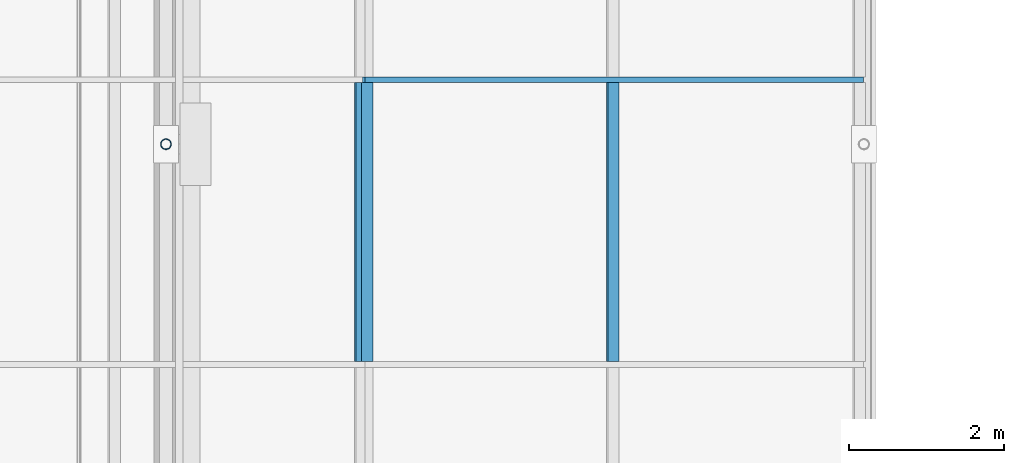
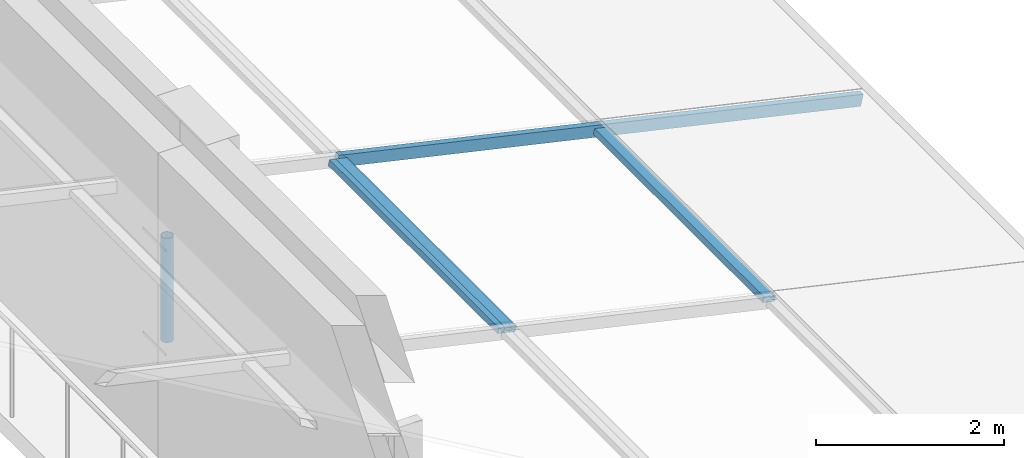
# One storey, part 83 of 130: 5 members, 2 elements without a shape of their own.
"""IFC4 building model written with IfcOpenShell, lengths in metres."""

from ifc_helpers import new_model, si_unit, direction, frame, origin, origin_2d, place, context, subcontext, project, spatial, hollow_rectangle, hollow_circle, extrude, material, material_profile, profile_set, type_object, element, aggregate, save


model = new_model("IFC4")

# Units and contexts
model_context = context("Model", 3, precision=1e-05, world=origin(), true_north=direction((0.0, 1.0)))
body_context = subcontext(model_context, "Body", "Model", "MODEL_VIEW")
ifc_project = project(units=[si_unit("LENGTHUNIT", "METRE"), si_unit("AREAUNIT", "SQUARE_METRE"), si_unit("VOLUMEUNIT", "CUBIC_METRE"), si_unit("PLANEANGLEUNIT", "RADIAN"), si_unit("MASSUNIT", "GRAM", prefix="KILO")], contexts=[model_context])

# Site, building, storey
site_placement = place(None, origin())
site = spatial("IfcSite", under=ifc_project, at=site_placement, CompositionType="ELEMENT")
building_placement = place(site_placement, origin())
building = spatial("IfcBuilding", under=site, at=building_placement, Name="Lykobir Media Centre", CompositionType="ELEMENT")
storey_placement = place(building_placement, frame((0.0, 0.0, 19.199951171875)))
storey = spatial("IfcBuildingStorey", under=building, at=storey_placement, Name="L04", CompositionType="ELEMENT", Elevation=19.199951171875)

# Member
ifc_material_1 = material(Name="Steel S355", Category="steel")
ifc_material_profile_1 = material_profile(ifc_material_1, hollow_circle(Radius=0.06982421875, WallThickness=0.008056640625, at=origin_2d()), Name="CHS 139.7x8.0")
ifc_profile_set_1 = profile_set([ifc_material_profile_1], Name="Steel S355")
member_type_1 = type_object("IfcMemberType", Name="BR-CHS140", PredefinedType="BRACE", material=ifc_profile_set_1)
member_1_placement = place(storey_placement, frame((72.0, 81.0, 2.780029296875), z_axis=(0.0, 0.0, -1.0), x_axis=(1.0, 0.0, 0.0)))
element("IfcMember", 1, at=member_1_placement, inside=storey, type_object=member_type_1, Name="Diagonal brace MEM2-L04-0720-0810-0220-0720-0810-0489", PredefinedType="BRACE", context=body_context, shape_type="SweptSolid", body=[
    extrude(hollow_circle(Radius=0.06982421875, WallThickness=0.008056640625, at=origin_2d()), origin(), (0.0, 0.0, 1.0), 1.35009765625),
])

# Curtain wall, members
ifc_material_2 = material(Name="Anodized Aluminium AW-6060", Category="aluminium")
curtain_wall_type = type_object("IfcCurtainWallType", Name="CW-V6-SKY", PredefinedType="NOTDEFINED", material=ifc_material_2)
curtain_wall_1_placement = place(storey_placement, origin())
curtain_wall_1 = element("IfcCurtainWall", 2, at=curtain_wall_1_placement, inside=storey, type_object=curtain_wall_type, Name="Curtain wall CW-V6-SKY01", PredefinedType="NOTDEFINED")
ifc_material_profile_2 = material_profile(ifc_material_2, hollow_rectangle(XDim=0.074951171875, YDim=0.14990234375, WallThickness=0.00341796875, at=origin_2d()), Name="ALU TRANSOM 75x150")
ifc_profile_set_2 = profile_set([ifc_material_profile_2], Name="Anodized Aluminium AW-6060")
member_type_2 = type_object("IfcMemberType", Name="CWT-150", PredefinedType="USERDEFINED", material=ifc_profile_set_2)
member_2_placement = place(storey_placement, frame((80.977783203125, 81.830078125, 0.901611328125), z_axis=(-0.97526330388, 0.0, 0.221046348318), x_axis=(0.0, -1.0, 0.0)))
member_2 = element("IfcMember", 3, at=member_2_placement, type_object=member_type_2, Name="CW-V6-SKY01 rafter transom 8", ObjectType="TRANSOM", PredefinedType="USERDEFINED", context=body_context, shape_type="SweptSolid", body=[
    extrude(hollow_rectangle(XDim=0.074951171875, YDim=0.14990234375, WallThickness=0.00341796875, at=origin_2d()), origin(), (0.0, 0.0, 1.0), 6.591552734375),
])
member_3_placement = place(storey_placement, frame((77.763427734375, 81.79248046875, 1.630126953125), z_axis=(0.0, -1.0, 0.0), x_axis=(0.221054901821, 0.0, 0.975261365164)))
member_3 = element("IfcMember", 4, at=member_3_placement, type_object=member_type_2, Name="CW-V6-SKY01 transom 8.2", ObjectType="TRANSOM", PredefinedType="USERDEFINED", context=body_context, shape_type="SweptSolid", body=[
    extrude(hollow_rectangle(XDim=0.074951171875, YDim=0.14990234375, WallThickness=0.00341796875, at=origin_2d()), origin(), (0.0, 0.0, 1.0), 3.594970703125),
])
member_4_placement = place(storey_placement, frame((74.585693359375, 81.79248046875, 2.350341796875), z_axis=(0.0, -1.0, 0.0), x_axis=(0.221054901821, 0.0, 0.975261365164)))
member_4 = element("IfcMember", 5, at=member_4_placement, type_object=member_type_2, Name="CW-V6-SKY01 transom 8.3", ObjectType="TRANSOM", PredefinedType="USERDEFINED", context=body_context, shape_type="SweptSolid", body=[
    extrude(hollow_rectangle(XDim=0.074951171875, YDim=0.14990234375, WallThickness=0.00341796875, at=origin_2d()), origin(), (0.0, 0.0, 1.0), 3.594970703125),
])
aggregate(curtain_wall_1, [member_2, member_3, member_4])

# Curtain wall, member
curtain_wall_2_placement = place(storey_placement, origin())
curtain_wall_2 = element("IfcCurtainWall", 6, at=curtain_wall_2_placement, inside=storey, type_object=curtain_wall_type, Name="Curtain wall CW-V6-SKY02", PredefinedType="NOTDEFINED")
member_5_placement = place(storey_placement, frame((74.512451171875, 81.79248046875, 2.366943359375), z_axis=(0.0, -1.0, 0.0), x_axis=(0.221071923309, 0.0, 0.975257506879)))
member_5 = element("IfcMember", 7, at=member_5_placement, type_object=member_type_2, Name="CW-V6-SKY02 transom 8.1", ObjectType="TRANSOM", PredefinedType="USERDEFINED", context=body_context, shape_type="SweptSolid", body=[
    extrude(hollow_rectangle(XDim=0.074951171875, YDim=0.14990234375, WallThickness=0.00341796875, at=origin_2d()), origin(), (0.0, 0.0, 1.0), 3.594970703125),
])
aggregate(curtain_wall_2, [member_5])

save(model, "model.ifc")
